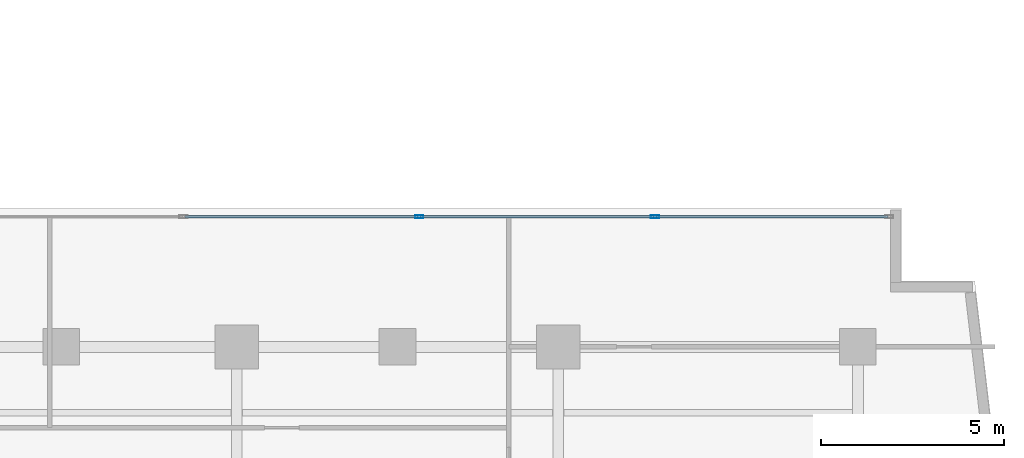
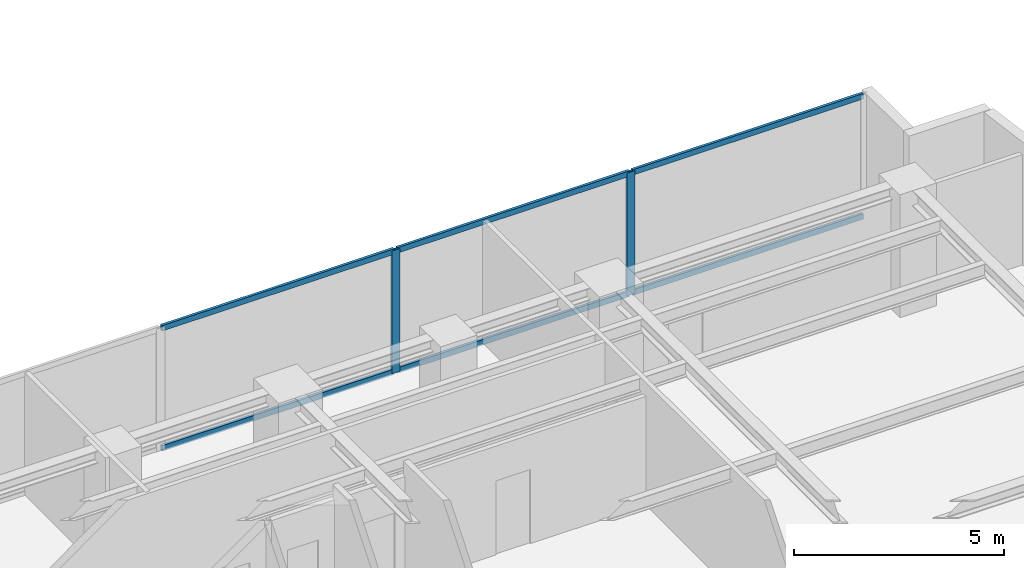
# One storey, part 13 of 24: 8 members, 1 element without a shape of its own.
"""IFC4 building model written with IfcOpenShell, lengths in metres."""

from ifc_helpers import new_model, si_unit, direction, frame, origin, origin_with_axes, origin_2d, place, context, subcontext, project, spatial, hollow_rectangle, extrude, source, transform, mapped, material, layer, layer_set, material_profile, profile_set, type_object, element, aggregate, save


model = new_model("IFC4")

# Units and contexts
model_context = context("Model", 3, precision=1e-05, world=origin(), true_north=direction((0.0, 1.0)))
body_context = subcontext(model_context, "Body", "Model", "MODEL_VIEW")
ifc_project = project(units=[si_unit("LENGTHUNIT", "METRE"), si_unit("AREAUNIT", "SQUARE_METRE"), si_unit("VOLUMEUNIT", "CUBIC_METRE"), si_unit("PLANEANGLEUNIT", "RADIAN"), si_unit("MASSUNIT", "GRAM", prefix="KILO")], contexts=[model_context])

# Site, building, storey
site_placement = place(None, origin())
site = spatial("IfcSite", under=ifc_project, at=site_placement, CompositionType="ELEMENT")
building_placement = place(site_placement, origin())
building = spatial("IfcBuilding", under=site, at=building_placement, Name="Kolvaren Waterfront Exchange", CompositionType="ELEMENT")
storey_placement = place(building_placement, frame((0.0, 0.0, 169.0)))
storey = spatial("IfcBuildingStorey", under=building, at=storey_placement, Name="L43", CompositionType="ELEMENT", Elevation=169.0)

# Curtain wall, members
ifc_material_1 = material(Name="Anodised bronze aluminium 6063-T6", Category="aluminium")
ifc_layer = layer(ifc_material_1, 0.219970703125, Name="Anodised bronze aluminium 6063-T6")
ifc_layer_set = layer_set([ifc_layer], Name="Anodised bronze aluminium 6063-T6")
curtain_wall_type = type_object("IfcCurtainWallType", Name="ARC-CW-SYS1", PredefinedType="USERDEFINED", material=ifc_layer_set)
curtain_wall_placement = place(storey_placement, origin())
curtain_wall = element("IfcCurtainWall", 1, at=curtain_wall_placement, inside=storey, type_object=curtain_wall_type, Name="L43 stick curtain wall CW1 (CW-L43-EN)", ObjectType="STICK CURTAIN WALL", PredefinedType="USERDEFINED")
ifc_material_2 = material(Name="Anodised aluminium 6063-T6", Category="aluminium")
ifc_material_profile_1 = material_profile(ifc_material_2, hollow_rectangle(XDim=0.080078125, YDim=0.219970703125, WallThickness=0.0048828125, at=origin_2d()), Name="ALU-MUL-220x80x5")
ifc_profile_set_1 = profile_set([ifc_material_profile_1], Name="Anodised aluminium 6063-T6")
member_type_1 = type_object("IfcMemberType", Name="ARC-CWM-220", PredefinedType="MULLION", material=ifc_profile_set_1)
shared_shape_1 = source(origin_with_axes(), body_context, "Body", "SweptSolid", [
    extrude(hollow_rectangle(XDim=0.080078125, YDim=0.219970703125, WallThickness=0.0048828125, at=origin_2d()), origin(), (0.0, 0.0, 1.0), 3.56005859375),
])
member_1_placement = place(storey_placement, frame((41.794921875, 20.9599609375, 0.0), z_axis=(0.0, 0.0, 1.0), x_axis=(0.0, 1.0, 0.0)))
member_1 = element("IfcMember", 2, at=member_1_placement, type_object=member_type_1, Name="CW1 mullion 3", PredefinedType="MULLION", context=body_context, shape_type="MappedRepresentation", body=[
    mapped(shared_shape_1, transform((0.0, 0.0, 0.0), x_axis=(1.0, 0.0, 0.0), y_axis=(0.0, 1.0, 0.0), z_axis=(0.0, 0.0, 1.0), scale=1.0)),
])
member_2_placement = place(storey_placement, frame((48.24755859375, 20.9599609375, 0.0), z_axis=(0.0, 0.0, 1.0), x_axis=(0.0, 1.0, 0.0)))
member_2 = element("IfcMember", 3, at=member_2_placement, type_object=member_type_1, Name="CW1 mullion 4", PredefinedType="MULLION", context=body_context, shape_type="MappedRepresentation", body=[
    mapped(shared_shape_1, transform((0.0, 0.0, 0.0), x_axis=(1.0, 0.0, 0.0), y_axis=(0.0, 1.0, 0.0), z_axis=(0.0, 0.0, 1.0), scale=1.0)),
])
ifc_material_profile_2 = material_profile(ifc_material_2, hollow_rectangle(XDim=0.074951171875, YDim=0.159912109375, WallThickness=0.00439453125, at=origin_2d()), Name="ALU-TRN-160x75x4.5")
ifc_profile_set_2 = profile_set([ifc_material_profile_2], Name="Anodised aluminium 6063-T6")
member_type_2 = type_object("IfcMemberType", Name="ARC-CWT-160", PredefinedType="USERDEFINED", material=ifc_profile_set_2)
shared_shape_2 = source(origin_with_axes(), body_context, "Body", "SweptSolid", [
    extrude(hollow_rectangle(XDim=0.074951171875, YDim=0.159912109375, WallThickness=0.00439453125, at=origin_2d()), origin(), (0.0, 0.0, 1.0), 6.33251953125),
])
member_3_placement = place(storey_placement, frame((48.28759765625, 20.9599609375, 0.03759765625), z_axis=(1.0, 0.0, 0.0), x_axis=(0.0, 1.0, 0.0)))
member_3 = element("IfcMember", 4, at=member_3_placement, type_object=member_type_2, Name="CW1 transom 4.1", ObjectType="TRANSOM", PredefinedType="USERDEFINED", context=body_context, shape_type="MappedRepresentation", body=[
    mapped(shared_shape_2, transform((0.0, 0.0, 0.0), x_axis=(1.0, 0.0, 0.0), y_axis=(0.0, 1.0, 0.0), z_axis=(0.0, 0.0, 1.0), scale=1.0)),
])
member_4_placement = place(storey_placement, frame((48.28759765625, 20.9599609375, 3.5224609375), z_axis=(1.0, 0.0, 0.0), x_axis=(0.0, 1.0, 0.0)))
member_4 = element("IfcMember", 5, at=member_4_placement, type_object=member_type_2, Name="CW1 transom 4.2", ObjectType="TRANSOM", PredefinedType="USERDEFINED", context=body_context, shape_type="MappedRepresentation", body=[
    mapped(shared_shape_2, transform((0.0, 0.0, 0.0), x_axis=(1.0, 0.0, 0.0), y_axis=(0.0, 1.0, 0.0), z_axis=(0.0, 0.0, 1.0), scale=1.0)),
])
shared_shape_3 = source(origin_with_axes(), body_context, "Body", "SweptSolid", [
    extrude(hollow_rectangle(XDim=0.074951171875, YDim=0.159912109375, WallThickness=0.00439453125, at=origin_2d()), origin(), (0.0, 0.0, 1.0), 6.372314453125),
])
member_5_placement = place(storey_placement, frame((35.382568359375, 20.9599609375, 0.03759765625), z_axis=(1.0, 0.0, 0.0), x_axis=(0.0, 1.0, 0.0)))
member_5 = element("IfcMember", 6, at=member_5_placement, type_object=member_type_2, Name="CW1 transom 2.1", ObjectType="TRANSOM", PredefinedType="USERDEFINED", context=body_context, shape_type="MappedRepresentation", body=[
    mapped(shared_shape_3, transform((0.0, 0.0, 0.0), x_axis=(1.0, 0.0, 0.0), y_axis=(0.0, 1.0, 0.0), z_axis=(0.0, 0.0, 1.0), scale=1.0)),
])
member_6_placement = place(storey_placement, frame((35.382568359375, 20.9599609375, 3.5224609375), z_axis=(1.0, 0.0, 0.0), x_axis=(0.0, 1.0, 0.0)))
member_6 = element("IfcMember", 7, at=member_6_placement, type_object=member_type_2, Name="CW1 transom 2.2", ObjectType="TRANSOM", PredefinedType="USERDEFINED", context=body_context, shape_type="MappedRepresentation", body=[
    mapped(shared_shape_3, transform((0.0, 0.0, 0.0), x_axis=(1.0, 0.0, 0.0), y_axis=(0.0, 1.0, 0.0), z_axis=(0.0, 0.0, 1.0), scale=1.0)),
])
shared_shape_4 = source(origin_with_axes(), body_context, "Body", "SweptSolid", [
    extrude(hollow_rectangle(XDim=0.074951171875, YDim=0.159912109375, WallThickness=0.00439453125, at=origin_2d()), origin(), (0.0, 0.0, 1.0), 6.37255859375),
])
member_7_placement = place(storey_placement, frame((41.8349609375, 20.9599609375, 0.03759765625), z_axis=(1.0, 0.0, 0.0), x_axis=(0.0, 1.0, 0.0)))
member_7 = element("IfcMember", 8, at=member_7_placement, type_object=member_type_2, Name="CW1 transom 3.1", ObjectType="TRANSOM", PredefinedType="USERDEFINED", context=body_context, shape_type="MappedRepresentation", body=[
    mapped(shared_shape_4, transform((0.0, 0.0, 0.0), x_axis=(1.0, 0.0, 0.0), y_axis=(0.0, 1.0, 0.0), z_axis=(0.0, 0.0, 1.0), scale=1.0)),
])
member_8_placement = place(storey_placement, frame((41.8349609375, 20.9599609375, 3.5224609375), z_axis=(1.0, 0.0, 0.0), x_axis=(0.0, 1.0, 0.0)))
member_8 = element("IfcMember", 9, at=member_8_placement, type_object=member_type_2, Name="CW1 transom 3.2", ObjectType="TRANSOM", PredefinedType="USERDEFINED", context=body_context, shape_type="MappedRepresentation", body=[
    mapped(shared_shape_4, transform((0.0, 0.0, 0.0), x_axis=(1.0, 0.0, 0.0), y_axis=(0.0, 1.0, 0.0), z_axis=(0.0, 0.0, 1.0), scale=1.0)),
])
aggregate(curtain_wall, [member_1, member_2, member_5, member_6, member_7, member_8, member_3, member_4])

save(model, "model.ifc")
